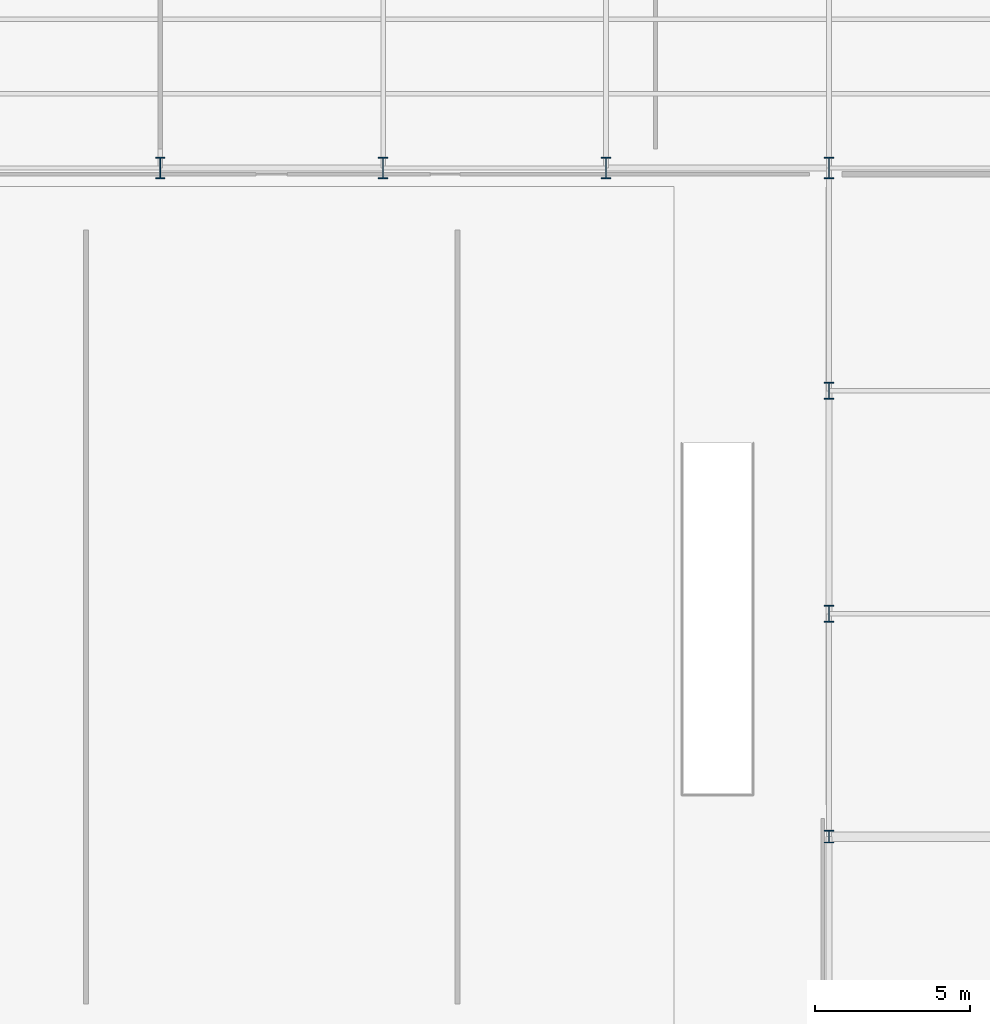
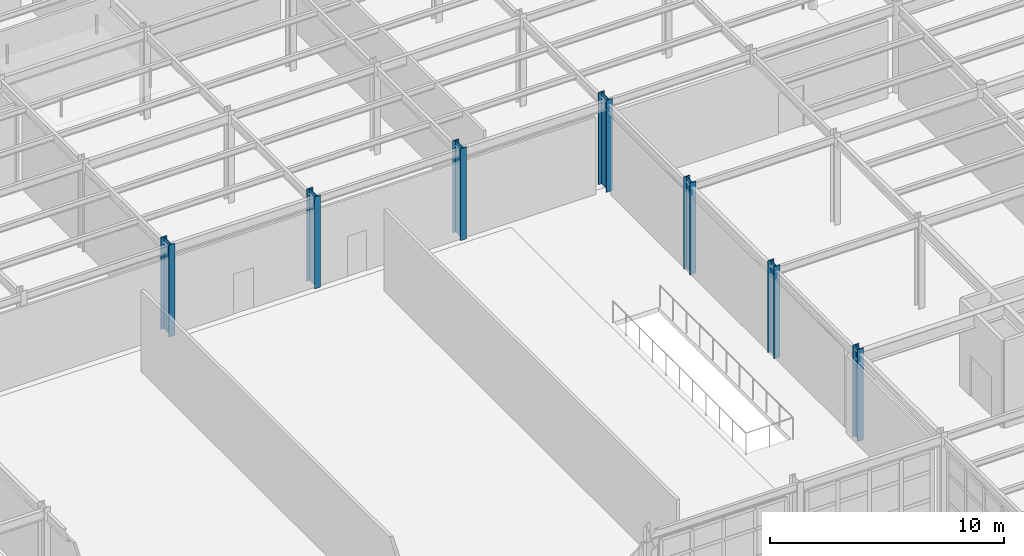
# One storey, part 9 of 126: 7 columns.
"""IFC4 building model written with IfcOpenShell, lengths in metres."""

from ifc_helpers import new_model, si_unit, direction, frame, origin, origin_2d, place, context, subcontext, project, spatial, i_section, extrude, material, material_profile, profile_set, type_object, element, save


model = new_model("IFC4")

# Units and contexts
model_context = context("Model", 3, precision=1e-05, world=origin(), true_north=direction((0.0, 1.0)))
body_context = subcontext(model_context, "Body", "Model", "MODEL_VIEW")
ifc_project = project(units=[si_unit("LENGTHUNIT", "METRE"), si_unit("AREAUNIT", "SQUARE_METRE"), si_unit("VOLUMEUNIT", "CUBIC_METRE"), si_unit("PLANEANGLEUNIT", "RADIAN"), si_unit("MASSUNIT", "GRAM", prefix="KILO")], contexts=[model_context])

# Site, building, storey
site_placement = place(None, origin())
site = spatial("IfcSite", under=ifc_project, at=site_placement, CompositionType="ELEMENT")
building_placement = place(site_placement, origin())
building = spatial("IfcBuilding", under=site, at=building_placement, Name="Solvadek Multi-Sports Hall", CompositionType="ELEMENT")
storey_placement = place(building_placement, frame((0.0, 0.0, 9.60009765625)))
storey = spatial("IfcBuildingStorey", under=building, at=storey_placement, Name="L02", CompositionType="ELEMENT", Elevation=9.60009765625)

# Columns
ifc_material = material(Name="Steel E350 (350 MPa)", Category="steel")
ifc_material_profile_1 = material_profile(ifc_material, i_section(OverallWidth=0.300048828125, OverallDepth=0.39990234375, WebThickness=0.013427734375, FlangeThickness=0.02392578125, at=origin_2d()), Name="WPB 400")
ifc_profile_set_1 = profile_set([ifc_material_profile_1], Name="Steel E350 (350 MPa)")
column_type_1 = type_object("IfcColumnType", Name="STR-COL-WPB400", PredefinedType="COLUMN", material=ifc_profile_set_1)
column_placement = place(storey_placement, frame((57.60009765625, 56.39990234375, 0.0), z_axis=(0.0, 0.0, 1.0), x_axis=(1.0, 0.0, 0.0)))
element("IfcColumn", 1, at=column_placement, inside=storey, type_object=column_type_1, Name="L02 Column C-07 #121", PredefinedType="COLUMN", context=body_context, shape_type="SweptSolid", body=[
    extrude(i_section(OverallWidth=0.300048828125, OverallDepth=0.39990234375, WebThickness=0.013427734375, FlangeThickness=0.02392578125, at=origin_2d()), origin(), (0.0, 0.0, 1.0), 4.7998046875),
])
ifc_material_profile_2 = material_profile(ifc_material, i_section(OverallWidth=0.300048828125, OverallDepth=0.550048828125, WebThickness=0.014892578125, FlangeThickness=0.029052734375, at=origin_2d()), Name="WPB 550")
ifc_profile_set_2 = profile_set([ifc_material_profile_2], Name="Steel E350 (350 MPa)")
column_type_2 = type_object("IfcColumnType", Name="STR-COL-WPB550", PredefinedType="COLUMN", material=ifc_profile_set_2)
for number, where, z_axis, x_axis, name in (
    (2, (57.60009765625, 63.60009765625, 0.0), (0.0, 0.0, 1.0), (1.0, 0.0, 0.0), "L02 Column C-04 #122"),
    (3, (57.60009765625, 70.800048828125, 0.0), (0.0, 0.0, 1.0), (1.0, 0.0, 0.0), "L02 Column C-04 #123"),
):
    element("IfcColumn", number, at=place(storey_placement, frame(where, z_axis=z_axis, x_axis=x_axis)), inside=storey, type_object=column_type_2, Name=name, PredefinedType="COLUMN", context=body_context, shape_type="SweptSolid", body=[
        extrude(i_section(OverallWidth=0.300048828125, OverallDepth=0.550048828125, WebThickness=0.014892578125, FlangeThickness=0.029052734375, at=origin_2d()), origin(), (0.0, 0.0, 1.0), 4.7998046875),
    ])
ifc_material_profile_3 = material_profile(ifc_material, i_section(OverallWidth=0.300048828125, OverallDepth=0.699951171875, WebThickness=0.01708984375, FlangeThickness=0.031982421875, at=origin_2d()), Name="WPB 700")
ifc_profile_set_3 = profile_set([ifc_material_profile_3], Name="Steel E350 (350 MPa)")
column_type_3 = type_object("IfcColumnType", Name="STR-COL-WPB700", PredefinedType="COLUMN", material=ifc_profile_set_3)
for number, where, z_axis, x_axis, name in (
    (4, (36.0, 78.0, 0.0), (0.0, 0.0, 1.0), (1.0, 0.0, 0.0), "L02 Column C-02 #76"),
    (5, (43.199951171875, 78.0, 0.0), (0.0, 0.0, 1.0), (1.0, 0.0, 0.0), "L02 Column C-02 #92"),
    (6, (50.39990234375, 78.0, 0.0), (0.0, 0.0, 1.0), (1.0, 0.0, 0.0), "L02 Column C-02 #108"),
    (7, (57.60009765625, 78.0, 0.0), (0.0, 0.0, 1.0), (1.0, 0.0, 0.0), "L02 Column C-02 #124"),
):
    element("IfcColumn", number, at=place(storey_placement, frame(where, z_axis=z_axis, x_axis=x_axis)), inside=storey, type_object=column_type_3, Name=name, PredefinedType="COLUMN", context=body_context, shape_type="SweptSolid", body=[
        extrude(i_section(OverallWidth=0.300048828125, OverallDepth=0.699951171875, WebThickness=0.01708984375, FlangeThickness=0.031982421875, at=origin_2d()), origin(), (0.0, 0.0, 1.0), 4.7998046875),
    ])

save(model, "model.ifc")
